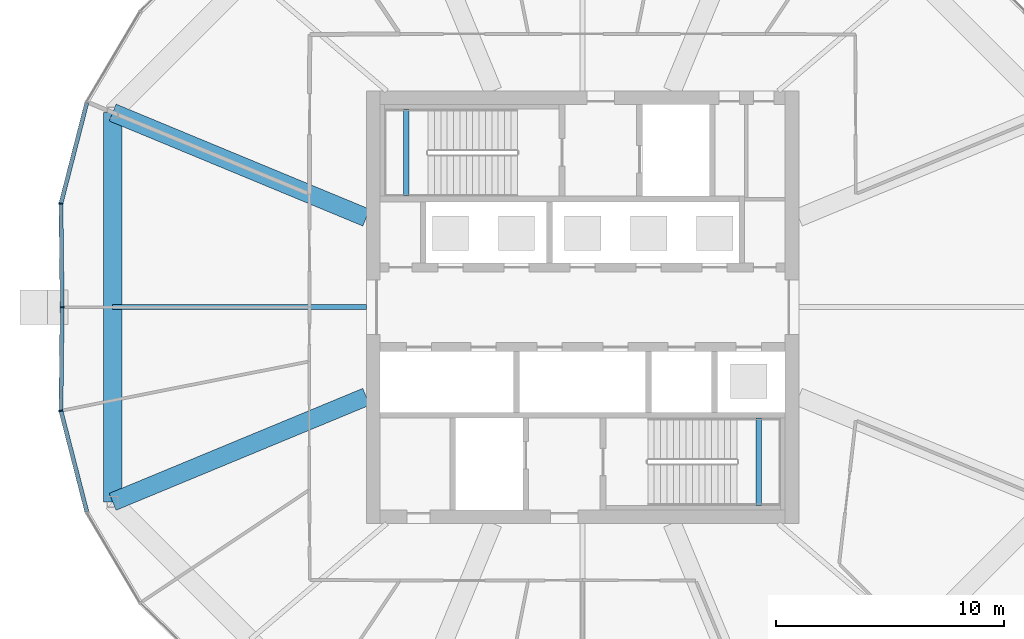
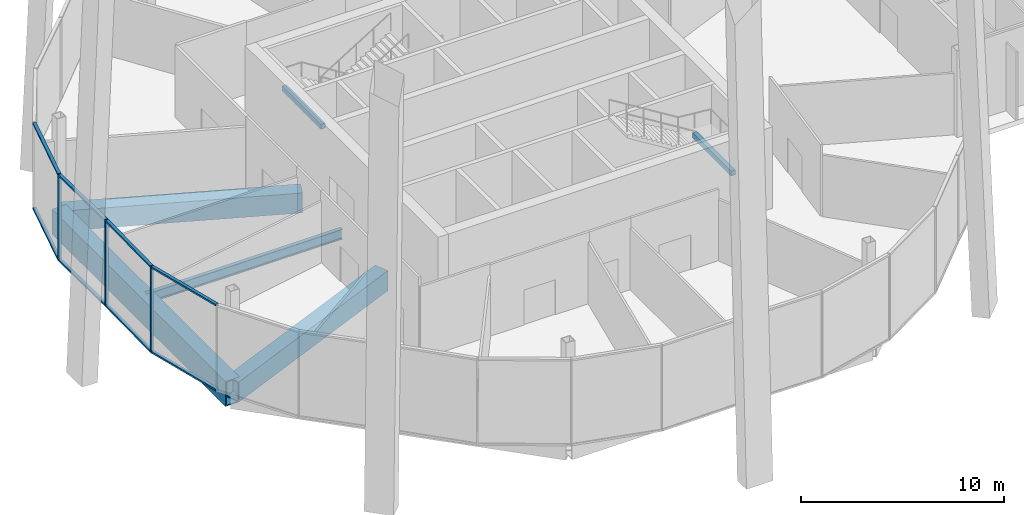
# One storey, part 4 of 28: 11 members, 6 beams, 2 elements without a shape of their own.
"""IFC4 building model written with IfcOpenShell, lengths in metres."""

import ifcopenshell
import ifcopenshell.guid

model = None  # the IFC model being written
_history = None  # IfcOwnerHistory: only IFC2X3 demands one
_inside = {}  # id of a spatial element -> (the spatial element, [elements in it])
_under = {}  # id of a project, library or spatial element -> (it, [spatial elements below it])
_declared = {}  # id of a project -> (the project, [libraries it declares])
_typed = {}  # id of a type object -> (the type object, [elements of that type])
_made_of = {}  # id of a material, layer set ... -> (it, [elements and type objects made of it])


def new_model(schema):
    """Start an empty IFC model of exactly this schema.

    Asked for "IFC4X3", IfcOpenShell would pick the latest addendum, in which some entities
    have other attributes; the version numbers below select the first issue.
    IFC2X3 requires an IfcOwnerHistory on every rooted entity: one is made here for all.
    """
    global model, _history
    if schema == "IFC4X3":
        model = ifcopenshell.file(schema_version=(4, 3, 0, 0))
    else:
        model = ifcopenshell.file(schema=schema)
    _inside.clear()
    _under.clear()
    _declared.clear()
    _typed.clear()
    _made_of.clear()
    _history = None
    if model.schema == "IFC2X3":
        org = make("IfcOrganization", Name="unknown")
        user = make(
            "IfcPersonAndOrganization",
            ThePerson=make("IfcPerson", FamilyName="unknown"),
            TheOrganization=org,
        )
        app = make(
            "IfcApplication",
            ApplicationDeveloper=org,
            Version="unknown",
            ApplicationFullName="unknown",
            ApplicationIdentifier="unknown",
        )
        _history = make(
            "IfcOwnerHistory",
            OwningUser=user,
            OwningApplication=app,
            ChangeAction="ADDED",
            CreationDate=0,
        )
    return model


def make(cls, **values):
    """One entity of the class cls with the attributes given. An attribute that is None is left unset."""
    return model.create_entity(
        cls, **{name: value for name, value in values.items() if value is not None}
    )


def rooted(cls, **values):
    """An entity with a GlobalId (a new one), such as an element, a storey or a relation."""
    return make(cls, GlobalId=ifcopenshell.guid.new(), OwnerHistory=_history, **values)


def si_unit(unit_type, name, prefix=None):
    """IfcSIUnit, for example si_unit("LENGTHUNIT", "METRE", prefix="MILLI")."""
    return make("IfcSIUnit", UnitType=unit_type, Prefix=prefix, Name=name)


def assignment(units):
    """IfcUnitAssignment: the units of a project."""
    return None if units is None else make("IfcUnitAssignment", Units=units)


def point(xyz):
    """IfcCartesianPoint."""
    return None if xyz is None else make("IfcCartesianPoint", Coordinates=xyz)


def direction(xyz):
    """IfcDirection."""
    return None if xyz is None else make("IfcDirection", DirectionRatios=xyz)


def frame(location, z_axis=None, x_axis=None):
    """IfcAxis2Placement3D, a coordinate frame: its origin and axes. An axis left out is left unset."""
    return make(
        "IfcAxis2Placement3D",
        Location=point(location),
        Axis=direction(z_axis),
        RefDirection=direction(x_axis),
    )


def frame_2d(location, x_axis=None):
    """IfcAxis2Placement2D, a coordinate frame in the plane: its origin and x axis."""
    return make(
        "IfcAxis2Placement2D", Location=point(location), RefDirection=direction(x_axis)
    )


def origin():
    """The frame at (0, 0, 0) with its axes left unset."""
    return frame((0.0, 0.0, 0.0))


def origin_2d():
    """The frame at (0, 0) in the plane with its x axis left unset."""
    return frame_2d((0.0, 0.0))


def place(relative_to, where):
    """IfcLocalPlacement: puts the frame where relative to a parent placement (None: the world)."""
    return make(
        "IfcLocalPlacement", PlacementRelTo=relative_to, RelativePlacement=where
    )


def context(
    kind, dimensions, precision=None, world=None, true_north=None, identifier=None
):
    """IfcGeometricRepresentationContext, for example the 3D "Model" context."""
    return make(
        "IfcGeometricRepresentationContext",
        ContextIdentifier=identifier,
        ContextType=kind,
        CoordinateSpaceDimension=dimensions,
        Precision=precision,
        WorldCoordinateSystem=world,
        TrueNorth=true_north,
    )


def subcontext(parent, identifier, kind, view, scale=None):
    """IfcGeometricRepresentationSubContext, for example "Body" below "Model"."""
    return make(
        "IfcGeometricRepresentationSubContext",
        ContextIdentifier=identifier,
        ContextType=kind,
        ParentContext=parent,
        TargetScale=scale,
        TargetView=view,
    )


def project(units=None, contexts=None):
    """IfcProject with its units and contexts."""
    return rooted(
        "IfcProject",
        Name="project",
        RepresentationContexts=contexts,
        UnitsInContext=assignment(units),
    )


def spatial(cls, under=None, at=None, **own):
    """A site, building, storey or space (cls), placed at a placement, below another one or the project."""
    s = rooted(cls, ObjectPlacement=at, **own)
    if under is not None:
        _under.setdefault(under.id(), (under, []))[1].append(s)
    return s


def profile(cls, at=None, kind="AREA", **sizes):
    """A parametric profile (cls). Its sizes go by their IFC names, for example OverallWidth=200.0."""
    return make(cls, ProfileType=kind, Position=at, **sizes)


def rectangle(**sizes):
    """IfcRectangleProfileDef."""
    return profile("IfcRectangleProfileDef", **sizes)


def hollow_rectangle(**sizes):
    """IfcRectangleHollowProfileDef."""
    return profile("IfcRectangleHollowProfileDef", **sizes)


def i_section(**sizes):
    """IfcIShapeProfileDef."""
    return profile("IfcIShapeProfileDef", **sizes)


def extrude(swept, where, along, depth):
    """IfcExtrudedAreaSolid: the profile swept, set in the frame where, extruded along a direction by depth."""
    return make(
        "IfcExtrudedAreaSolid",
        SweptArea=swept,
        Position=where,
        ExtrudedDirection=direction(along),
        Depth=depth,
    )


def shape(context_of_items, identifier, shape_type, items):
    """IfcShapeRepresentation: the items that make up one representation, for example the "Body"."""
    return make(
        "IfcShapeRepresentation",
        ContextOfItems=context_of_items,
        RepresentationIdentifier=identifier,
        RepresentationType=shape_type,
        Items=items,
    )


def material(Name=None, Category=None):
    """IfcMaterial."""
    return make("IfcMaterial", Name=Name, Category=Category)


def material_profile(
    of_material, cross_section, Name=None, Category=None, Priority=None
):
    """IfcMaterialProfile: a cross section and its material."""
    return make(
        "IfcMaterialProfile",
        Name=Name,
        Material=of_material,
        Profile=cross_section,
        Priority=Priority,
        Category=Category,
    )


def profile_set(profiles, Name=None, composite=None):
    """IfcMaterialProfileSet."""
    return make(
        "IfcMaterialProfileSet",
        Name=Name,
        MaterialProfiles=profiles,
        CompositeProfile=composite,
    )


def made_of(thing, what):
    """Note that an element or type object is made of a material, layer set ...; save() writes the relation."""
    if what is not None:
        _made_of.setdefault(what.id(), (what, []))[1].append(thing)
    return thing


def type_object(cls, material=None, **own):
    """A type object (cls), such as IfcWallType, which elements share."""
    return made_of(rooted(cls, **own), material)


def element(
    cls,
    number,
    at=None,
    inside=None,
    cuts=None,
    type_object=None,
    material=None,
    context=None,
    identifier="Body",
    shape_type=None,
    held_by="IfcProductDefinitionShape",
    body=None,
    shapes=None,
    **own,
):
    """One element of the class cls, such as IfcWall. Its Tag is "e" and its number.

    at: its placement. inside: the storey or other place that contains it. cuts: it is an
    opening in that element (IfcRelVoidsElement). A single representation is given by context,
    identifier, shape_type and body (its items); several are given by shapes. held_by: the class
    of the entity that holds the representations. save() writes the other relations.
    """
    e = rooted(cls, Tag="e%d" % number, ObjectPlacement=at, **own)
    if body is not None:
        shapes = [shape(context, identifier, shape_type, body)]
    if shapes is not None:
        e.Representation = make(held_by, Representations=shapes)
    if inside is not None:
        _inside.setdefault(inside.id(), (inside, []))[1].append(e)
    if cuts is not None:
        rooted(
            "IfcRelVoidsElement", RelatingBuildingElement=cuts, RelatedOpeningElement=e
        )
    if type_object is not None:
        _typed.setdefault(type_object.id(), (type_object, []))[1].append(e)
    return made_of(e, material)


def aggregate(whole, parts):
    """IfcRelAggregates: a whole, such as a stair, and the parts it consists of."""
    return rooted("IfcRelAggregates", RelatingObject=whole, RelatedObjects=parts)


def save(model, path):
    """Write the relations noted so far, then the file.

    IfcRelAggregates (storeys below a building ...), IfcRelContainedInSpatialStructure (elements
    in a storey), IfcRelDefinesByType, IfcRelAssociatesMaterial and IfcRelDeclares: one each for
    every whole, place, type object, material and project.
    """
    for whole, parts in _under.values():
        aggregate(whole, parts)
    for where, things in _inside.values():
        rooted(
            "IfcRelContainedInSpatialStructure",
            RelatedElements=things,
            RelatingStructure=where,
        )
    for kind, things in _typed.values():
        rooted("IfcRelDefinesByType", RelatedObjects=things, RelatingType=kind)
    for what, things in _made_of.values():
        rooted("IfcRelAssociatesMaterial", RelatedObjects=things, RelatingMaterial=what)
    for by, libraries in _declared.values():
        rooted("IfcRelDeclares", RelatingContext=by, RelatedDefinitions=libraries)
    model.write(path)


model = new_model("IFC4")

# Units and contexts
model_context = context("Model", 3, precision=1e-05, world=origin(), true_north=direction((0.0, 1.0)))
body_context = subcontext(model_context, "Body", "Model", "MODEL_VIEW")
ifc_project = project(units=[si_unit("LENGTHUNIT", "METRE"), si_unit("AREAUNIT", "SQUARE_METRE"), si_unit("VOLUMEUNIT", "CUBIC_METRE"), si_unit("PLANEANGLEUNIT", "RADIAN"), si_unit("MASSUNIT", "GRAM", prefix="KILO")], contexts=[model_context])

# Site, building, storey
site_placement = place(None, origin())
site = spatial("IfcSite", under=ifc_project, at=site_placement, CompositionType="ELEMENT")
building_placement = place(site_placement, origin())
building = spatial("IfcBuilding", under=site, at=building_placement, Name="Ogive Gate Towers", CompositionType="ELEMENT")
storey_placement = place(building_placement, frame((0.0, 0.0, 135.60009765625)))
storey = spatial("IfcBuildingStorey", under=building, at=storey_placement, Name="L32", CompositionType="ELEMENT", Elevation=135.60009765625)

# Beams
ifc_material_1 = material(Name="Steel SM460", Category="steel")
ifc_material_profile_1 = material_profile(ifc_material_1, hollow_rectangle(XDim=0.800048828125, YDim=1.5, WallThickness=0.06005859375, at=origin_2d()), Name="BX 1500x800x60")
ifc_profile_set_1 = profile_set([ifc_material_profile_1], Name="Steel SM460")
beam_type_1 = type_object("IfcBeamType", Name="Edge girder BX 1500x800x60", PredefinedType="BEAM", material=ifc_profile_set_1)
beam_1_placement = place(storey_placement, frame((-56.639404296875, 8.549072265625, -1.050048828125), z_axis=(0.0, -1.0, 0.0), x_axis=(1.0, 0.0, 0.0)))
element("IfcBeam", 1, at=beam_1_placement, inside=storey, type_object=beam_type_1, Name="T1/L32/SBM024", PredefinedType="BEAM", context=body_context, shape_type="SweptSolid", body=[
    extrude(hollow_rectangle(XDim=0.800048828125, YDim=1.5, WallThickness=0.06005859375, at=origin_2d()), origin(), (0.0, 0.0, 1.0), 17.09814453125),
])
ifc_material_2 = material(Name="Concrete C40/50", Category="concrete")
ifc_material_profile_2 = material_profile(ifc_material_2, rectangle(XDim=0.25, YDim=0.300048828125, at=origin_2d()), Name="RC 250x300")
ifc_profile_set_2 = profile_set([ifc_material_profile_2], Name="Concrete C40/50")
beam_type_2 = type_object("IfcBeamType", Name="Landing bearer RC 250x300", PredefinedType="BEAM", material=ifc_profile_set_2)
for number, where, z_axis, x_axis, name in (
    (2, (-43.742431640625, 8.699951171875, 2.25), (0.0, -1.0, 0.0), (1.0, 0.0, 0.0), "T1 L32 stair 1 landing bearer 1"),
    (3, (-28.257568359375, -8.699951171875, 2.25), (0.0, 1.0, 0.0), (-1.0, 0.0, 0.0), "T1 L32 stair 2 landing bearer 1"),
):
    element("IfcBeam", number, at=place(storey_placement, frame(where, z_axis=z_axis, x_axis=x_axis)), inside=storey, type_object=beam_type_2, Name=name, PredefinedType="BEAM", context=body_context, shape_type="SweptSolid", body=[
        extrude(rectangle(XDim=0.25, YDim=0.300048828125, at=origin_2d()), origin(), (0.0, 0.0, 1.0), 3.824951171875),
    ])
ifc_material_3 = material(Name="Steel SM355", Category="steel")
ifc_material_profile_3 = material_profile(ifc_material_3, i_section(OverallWidth=0.219970703125, OverallDepth=0.60009765625, WebThickness=0.011962890625, FlangeThickness=0.01904296875, FilletRadius=0.02392578125, at=origin_2d()), Name="IPE 600")
ifc_profile_set_3 = profile_set([ifc_material_profile_3], Name="Steel SM355")
beam_type_3 = type_object("IfcBeamType", Name="Radial floor beam IPE 600", PredefinedType="BEAM", material=ifc_profile_set_3)
beam_2_placement = place(storey_placement, frame((-45.5, 0.0, -0.60009765625), z_axis=(-1.0, 0.0, 0.0), x_axis=(0.0, -1.0, 0.0)))
element("IfcBeam", 4, at=beam_2_placement, inside=storey, type_object=beam_type_3, Name="T1/L32/SBM016", PredefinedType="BEAM", context=body_context, shape_type="SweptSolid", body=[
    extrude(i_section(OverallWidth=0.219970703125, OverallDepth=0.60009765625, WebThickness=0.011962890625, FlangeThickness=0.01904296875, FilletRadius=0.02392578125, at=origin_2d()), origin(), (0.0, 0.0, 1.0), 11.139404296875),
])

# Curtain wall, members
ifc_material_4 = material(Name="Pale metal aluminium", Category="aluminium")
curtain_wall_type = type_object("IfcCurtainWallType", Name="Tower unitised wall, high zone", PredefinedType="NOTDEFINED", material=ifc_material_4)
curtain_wall_1_placement = place(storey_placement, origin())
curtain_wall_1 = element("IfcCurtainWall", 5, at=curtain_wall_1_placement, inside=storey, type_object=curtain_wall_type, Name="CW2 T1 ECW04", PredefinedType="NOTDEFINED")
ifc_material_profile_4 = material_profile(ifc_material_4, rectangle(XDim=0.179931640625, YDim=0.06005859375, at=origin_2d()), Name="60 x 180 aluminium box")
ifc_profile_set_4 = profile_set([ifc_material_profile_4], Name="Pale metal aluminium")
member_type_1 = type_object("IfcMemberType", Name="Tower unitised wall, high zone mullion 60 x 180", PredefinedType="MULLION", material=ifc_profile_set_4)
member_1_placement = place(storey_placement, frame((-58.9130859375, 4.550537109375, -0.300048828125), z_axis=(0.0, 0.0, 1.0), x_axis=(-0.992840971329, 0.119443734243, 0.0)))
member_1 = element("IfcMember", 6, at=member_1_placement, type_object=member_type_1, Name="CW2 mullion", PredefinedType="MULLION", context=body_context, shape_type="SweptSolid", body=[
    extrude(rectangle(XDim=0.179931640625, YDim=0.06005859375, at=origin_2d()), origin(), (0.0, 0.0, 1.0), 5.199951171875),
])
member_2_placement = place(storey_placement, frame((-58.860107421875, 0.0, -0.300048828125), z_axis=(0.0, 0.0, 1.0), x_axis=(-0.999932240296, -0.011641083172, 0.0)))
member_2 = element("IfcMember", 7, at=member_2_placement, type_object=member_type_1, Name="CW2 mullion", PredefinedType="MULLION", context=body_context, shape_type="SweptSolid", body=[
    extrude(rectangle(XDim=0.179931640625, YDim=0.06005859375, at=origin_2d()), origin(), (0.0, 0.0, 1.0), 5.199951171875),
])

# Curtain wall, member
curtain_wall_2_placement = place(storey_placement, origin())
curtain_wall_2 = element("IfcCurtainWall", 8, at=curtain_wall_2_placement, inside=storey, type_object=curtain_wall_type, Name="CW2 T1 ECW05", PredefinedType="NOTDEFINED")
member_3_placement = place(storey_placement, frame((-58.9130859375, -4.550537109375, -0.300048828125), z_axis=(0.0, 0.0, 1.0), x_axis=(-0.992840971329, -0.119443734243, 0.0)))
member_3 = element("IfcMember", 9, at=member_3_placement, type_object=member_type_1, Name="CW2 mullion", PredefinedType="MULLION", context=body_context, shape_type="SweptSolid", body=[
    extrude(rectangle(XDim=0.179931640625, YDim=0.06005859375, at=origin_2d()), origin(), (0.0, 0.0, 1.0), 5.199951171875),
])

# Member
ifc_material_profile_5 = material_profile(ifc_material_4, rectangle(XDim=0.179931640625, YDim=0.10009765625, at=origin_2d()), Name="100 x 180 aluminium box")
ifc_profile_set_5 = profile_set([ifc_material_profile_5], Name="Pale metal aluminium")
member_type_2 = type_object("IfcMemberType", Name="Tower unitised wall, high zone transom 100 x 180", PredefinedType="USERDEFINED", material=ifc_profile_set_5)
member_4_placement = place(storey_placement, frame((-57.774658203125, 8.98876953125, 4.849853515625), z_axis=(-0.248473392549, -0.96863872171, 0.0), x_axis=(0.96863872171, -0.248473392549, 0.0)))
member_4 = element("IfcMember", 10, at=member_4_placement, type_object=member_type_2, Name="CW2 transom", ObjectType="TRANSOM", PredefinedType="USERDEFINED", context=body_context, shape_type="SweptSolid", body=[
    extrude(rectangle(XDim=0.179931640625, YDim=0.10009765625, at=origin_2d()), origin(), (0.0, 0.0, 1.0), 4.55322265625),
])

member_5_placement = place(storey_placement, frame((-57.774658203125, 8.98876953125, -0.25), z_axis=(-0.248473392549, -0.96863872171, 0.0), x_axis=(0.96863872171, -0.248473392549, 0.0)))
member_5 = element("IfcMember", 11, at=member_5_placement, type_object=member_type_2, Name="CW2 transom", ObjectType="TRANSOM", PredefinedType="USERDEFINED", context=body_context, shape_type="SweptSolid", body=[
    extrude(rectangle(XDim=0.179931640625, YDim=0.10009765625, at=origin_2d()), origin(), (0.0, 0.0, 1.0), 4.55322265625),
])

member_6_placement = place(storey_placement, frame((-58.91259765625, 4.52197265625, 4.849853515625), z_axis=(0.01163028025, -0.999932366003, 0.0), x_axis=(0.999932366003, 0.01163028025, 0.0)))
member_6 = element("IfcMember", 12, at=member_6_placement, type_object=member_type_2, Name="CW2 transom", ObjectType="TRANSOM", PredefinedType="USERDEFINED", context=body_context, shape_type="SweptSolid", body=[
    extrude(rectangle(XDim=0.179931640625, YDim=0.10009765625, at=origin_2d()), origin(), (0.0, 0.0, 1.0), 4.4921875),
])

member_7_placement = place(storey_placement, frame((-58.91259765625, 4.52197265625, -0.25), z_axis=(0.01163028025, -0.999932366003, 0.0), x_axis=(0.999932366003, 0.01163028025, 0.0)))
member_7 = element("IfcMember", 13, at=member_7_placement, type_object=member_type_2, Name="CW2 transom", ObjectType="TRANSOM", PredefinedType="USERDEFINED", context=body_context, shape_type="SweptSolid", body=[
    extrude(rectangle(XDim=0.179931640625, YDim=0.10009765625, at=origin_2d()), origin(), (0.0, 0.0, 1.0), 4.4921875),
])

aggregate(curtain_wall_1, [member_1, member_4, member_5, member_2, member_6, member_7])

member_8_placement = place(storey_placement, frame((-58.8603515625, -0.030029296875, 4.849853515625), z_axis=(-0.01163028025, -0.999932366003, 0.0), x_axis=(0.999932366003, -0.01163028025, 0.0)))
member_8 = element("IfcMember", 14, at=member_8_placement, type_object=member_type_2, Name="CW2 transom", ObjectType="TRANSOM", PredefinedType="USERDEFINED", context=body_context, shape_type="SweptSolid", body=[
    extrude(rectangle(XDim=0.179931640625, YDim=0.10009765625, at=origin_2d()), origin(), (0.0, 0.0, 1.0), 4.4921875),
])

member_9_placement = place(storey_placement, frame((-58.8603515625, -0.030029296875, -0.25), z_axis=(-0.01163028025, -0.999932366003, 0.0), x_axis=(0.999932366003, -0.01163028025, 0.0)))
member_9 = element("IfcMember", 15, at=member_9_placement, type_object=member_type_2, Name="CW2 transom", ObjectType="TRANSOM", PredefinedType="USERDEFINED", context=body_context, shape_type="SweptSolid", body=[
    extrude(rectangle(XDim=0.179931640625, YDim=0.10009765625, at=origin_2d()), origin(), (0.0, 0.0, 1.0), 4.4921875),
])

member_10_placement = place(storey_placement, frame((-58.906005859375, -4.578369140625, 4.849853515625), z_axis=(0.248473392549, -0.96863872171, 0.0), x_axis=(0.96863872171, 0.248473392549, 0.0)))
member_10 = element("IfcMember", 16, at=member_10_placement, type_object=member_type_2, Name="CW2 transom", ObjectType="TRANSOM", PredefinedType="USERDEFINED", context=body_context, shape_type="SweptSolid", body=[
    extrude(rectangle(XDim=0.179931640625, YDim=0.10009765625, at=origin_2d()), origin(), (0.0, 0.0, 1.0), 4.55322265625),
])

member_11_placement = place(storey_placement, frame((-58.906005859375, -4.578369140625, -0.25), z_axis=(0.248473392549, -0.96863872171, 0.0), x_axis=(0.96863872171, 0.248473392549, 0.0)))
member_11 = element("IfcMember", 17, at=member_11_placement, type_object=member_type_2, Name="CW2 transom", ObjectType="TRANSOM", PredefinedType="USERDEFINED", context=body_context, shape_type="SweptSolid", body=[
    extrude(rectangle(XDim=0.179931640625, YDim=0.10009765625, at=origin_2d()), origin(), (0.0, 0.0, 1.0), 4.55322265625),
])

aggregate(curtain_wall_2, [member_3, member_8, member_9, member_10, member_11])

# Beams
ifc_material_profile_6 = material_profile(ifc_material_1, hollow_rectangle(XDim=0.800048828125, YDim=1.199951171875, WallThickness=0.050048828125, at=origin_2d()), Name="BX 1200x800x50")
ifc_profile_set_6 = profile_set([ifc_material_profile_6], Name="Steel SM460")
beam_type_4 = type_object("IfcBeamType", Name="Transfer radial beam BX 1200x800x50", PredefinedType="BEAM", material=ifc_profile_set_6)
for number, where, z_axis, x_axis, name in (
    (18, (-45.5, -3.93505859375, -0.900146484375), (-0.923881839184, -0.382677863518, 0.0), (0.382677863518, -0.923881839184, 0.0), "T1/L32/SBM001"),
    (19, (-45.5, 3.93505859375, -0.900146484375), (-0.923881839184, 0.382677863518, 0.0), (-0.382677863518, -0.923881839184, 0.0), "T1/L32/SBM015"),
):
    element("IfcBeam", number, at=place(storey_placement, frame(where, z_axis=z_axis, x_axis=x_axis)), inside=storey, type_object=beam_type_4, Name=name, PredefinedType="BEAM", context=body_context, shape_type="SweptSolid", body=[
        extrude(hollow_rectangle(XDim=0.800048828125, YDim=1.199951171875, WallThickness=0.050048828125, at=origin_2d()), origin(), (0.0, 0.0, 1.0), 12.05712890625),
    ])

save(model, "model.ifc")
